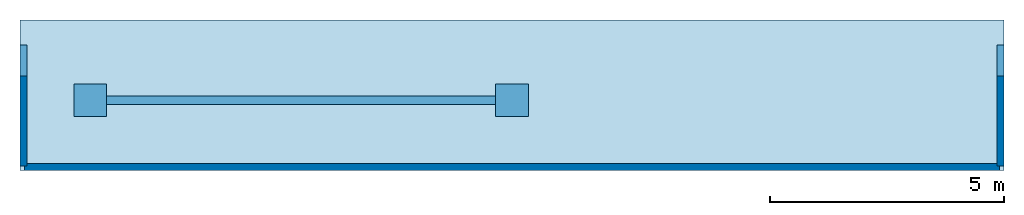
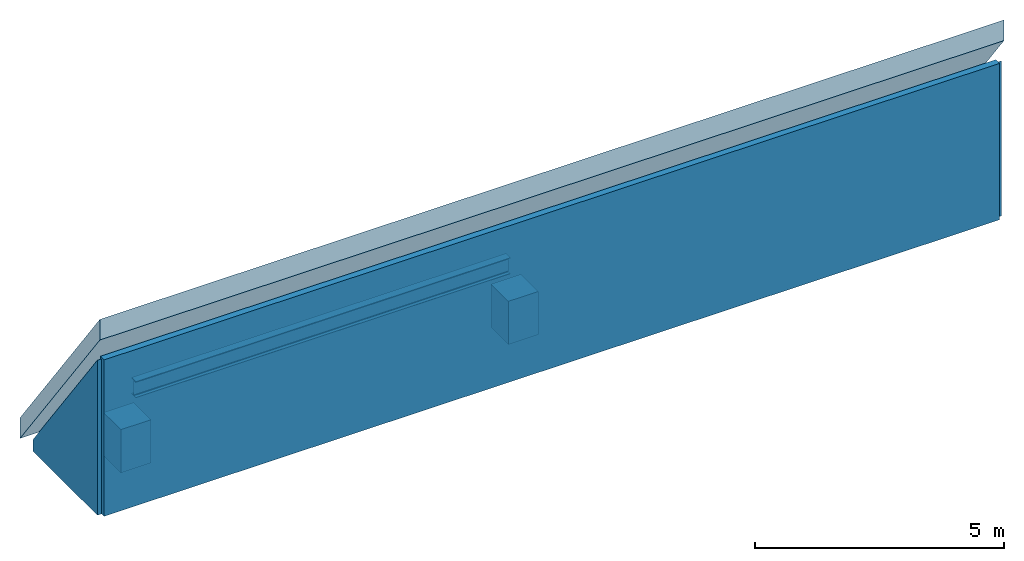
# One storey: 3 walls, 2 columns, 1 beam, 1 slab.
"""IFC4 building model written with IfcOpenShell, lengths in metres."""

import ifcopenshell
import ifcopenshell.guid

model = None  # the IFC model being written
_history = None  # IfcOwnerHistory: only IFC2X3 demands one
_inside = {}  # id of a spatial element -> (the spatial element, [elements in it])
_under = {}  # id of a project, library or spatial element -> (it, [spatial elements below it])
_declared = {}  # id of a project -> (the project, [libraries it declares])
_typed = {}  # id of a type object -> (the type object, [elements of that type])
_made_of = {}  # id of a material, layer set ... -> (it, [elements and type objects made of it])


def new_model(schema):
    """Start an empty IFC model of exactly this schema.

    Asked for "IFC4X3", IfcOpenShell would pick the latest addendum, in which some entities
    have other attributes; the version numbers below select the first issue.
    IFC2X3 requires an IfcOwnerHistory on every rooted entity: one is made here for all.
    """
    global model, _history
    if schema == "IFC4X3":
        model = ifcopenshell.file(schema_version=(4, 3, 0, 0))
    else:
        model = ifcopenshell.file(schema=schema)
    _inside.clear()
    _under.clear()
    _declared.clear()
    _typed.clear()
    _made_of.clear()
    _history = None
    if model.schema == "IFC2X3":
        org = make("IfcOrganization", Name="unknown")
        user = make(
            "IfcPersonAndOrganization",
            ThePerson=make("IfcPerson", FamilyName="unknown"),
            TheOrganization=org,
        )
        app = make(
            "IfcApplication",
            ApplicationDeveloper=org,
            Version="unknown",
            ApplicationFullName="unknown",
            ApplicationIdentifier="unknown",
        )
        _history = make(
            "IfcOwnerHistory",
            OwningUser=user,
            OwningApplication=app,
            ChangeAction="ADDED",
            CreationDate=0,
        )
    return model


def make(cls, **values):
    """One entity of the class cls with the attributes given. An attribute that is None is left unset."""
    return model.create_entity(
        cls, **{name: value for name, value in values.items() if value is not None}
    )


def rooted(cls, **values):
    """An entity with a GlobalId (a new one), such as an element, a storey or a relation."""
    return make(cls, GlobalId=ifcopenshell.guid.new(), OwnerHistory=_history, **values)


def si_unit(unit_type, name, prefix=None):
    """IfcSIUnit, for example si_unit("LENGTHUNIT", "METRE", prefix="MILLI")."""
    return make("IfcSIUnit", UnitType=unit_type, Prefix=prefix, Name=name)


def assignment(units):
    """IfcUnitAssignment: the units of a project."""
    return None if units is None else make("IfcUnitAssignment", Units=units)


def point(xyz):
    """IfcCartesianPoint."""
    return None if xyz is None else make("IfcCartesianPoint", Coordinates=xyz)


def direction(xyz):
    """IfcDirection."""
    return None if xyz is None else make("IfcDirection", DirectionRatios=xyz)


def frame(location, z_axis=None, x_axis=None):
    """IfcAxis2Placement3D, a coordinate frame: its origin and axes. An axis left out is left unset."""
    return make(
        "IfcAxis2Placement3D",
        Location=point(location),
        Axis=direction(z_axis),
        RefDirection=direction(x_axis),
    )


def frame_2d(location, x_axis=None):
    """IfcAxis2Placement2D, a coordinate frame in the plane: its origin and x axis."""
    return make(
        "IfcAxis2Placement2D", Location=point(location), RefDirection=direction(x_axis)
    )


def origin():
    """The frame at (0, 0, 0) with its axes left unset."""
    return frame((0.0, 0.0, 0.0))


def origin_2d():
    """The frame at (0, 0) in the plane with its x axis left unset."""
    return frame_2d((0.0, 0.0))


def place(relative_to, where):
    """IfcLocalPlacement: puts the frame where relative to a parent placement (None: the world)."""
    return make(
        "IfcLocalPlacement", PlacementRelTo=relative_to, RelativePlacement=where
    )


def context(
    kind, dimensions, precision=None, world=None, true_north=None, identifier=None
):
    """IfcGeometricRepresentationContext, for example the 3D "Model" context."""
    return make(
        "IfcGeometricRepresentationContext",
        ContextIdentifier=identifier,
        ContextType=kind,
        CoordinateSpaceDimension=dimensions,
        Precision=precision,
        WorldCoordinateSystem=world,
        TrueNorth=true_north,
    )


def subcontext(parent, identifier, kind, view, scale=None):
    """IfcGeometricRepresentationSubContext, for example "Body" below "Model"."""
    return make(
        "IfcGeometricRepresentationSubContext",
        ContextIdentifier=identifier,
        ContextType=kind,
        ParentContext=parent,
        TargetScale=scale,
        TargetView=view,
    )


def project(units=None, contexts=None):
    """IfcProject with its units and contexts."""
    return rooted(
        "IfcProject",
        Name="project",
        RepresentationContexts=contexts,
        UnitsInContext=assignment(units),
    )


def spatial(cls, under=None, at=None, **own):
    """A site, building, storey or space (cls), placed at a placement, below another one or the project."""
    s = rooted(cls, ObjectPlacement=at, **own)
    if under is not None:
        _under.setdefault(under.id(), (under, []))[1].append(s)
    return s


def polyline(points):
    """IfcPolyline through the points."""
    return make("IfcPolyline", Points=[point(p) for p in points])


def profile(cls, at=None, kind="AREA", **sizes):
    """A parametric profile (cls). Its sizes go by their IFC names, for example OverallWidth=200.0."""
    return make(cls, ProfileType=kind, Position=at, **sizes)


def rectangle(**sizes):
    """IfcRectangleProfileDef."""
    return profile("IfcRectangleProfileDef", **sizes)


def i_section(**sizes):
    """IfcIShapeProfileDef."""
    return profile("IfcIShapeProfileDef", **sizes)


def outline(outer, holes=None, kind="AREA"):
    """IfcArbitraryClosedProfileDef: a profile drawn as a closed curve; with holes, ...WithVoids."""
    if holes is None:
        return make("IfcArbitraryClosedProfileDef", ProfileType=kind, OuterCurve=outer)
    return make(
        "IfcArbitraryProfileDefWithVoids",
        ProfileType=kind,
        OuterCurve=outer,
        InnerCurves=holes,
    )


def extrude(swept, where, along, depth):
    """IfcExtrudedAreaSolid: the profile swept, set in the frame where, extruded along a direction by depth."""
    return make(
        "IfcExtrudedAreaSolid",
        SweptArea=swept,
        Position=where,
        ExtrudedDirection=direction(along),
        Depth=depth,
    )


def shape(context_of_items, identifier, shape_type, items):
    """IfcShapeRepresentation: the items that make up one representation, for example the "Body"."""
    return make(
        "IfcShapeRepresentation",
        ContextOfItems=context_of_items,
        RepresentationIdentifier=identifier,
        RepresentationType=shape_type,
        Items=items,
    )


def material(Name=None, Category=None):
    """IfcMaterial."""
    return make("IfcMaterial", Name=Name, Category=Category)


def layer(
    of_material, thickness, ventilated=None, Name=None, Category=None, Priority=None
):
    """IfcMaterialLayer: one layer of a wall or slab, of a material (None: an air gap)."""
    return make(
        "IfcMaterialLayer",
        Material=of_material,
        LayerThickness=thickness,
        IsVentilated=ventilated,
        Name=Name,
        Category=Category,
        Priority=Priority,
    )


def layer_set(layers, Name=None):
    """IfcMaterialLayerSet."""
    return make("IfcMaterialLayerSet", MaterialLayers=layers, LayerSetName=Name)


def material_profile(
    of_material, cross_section, Name=None, Category=None, Priority=None
):
    """IfcMaterialProfile: a cross section and its material."""
    return make(
        "IfcMaterialProfile",
        Name=Name,
        Material=of_material,
        Profile=cross_section,
        Priority=Priority,
        Category=Category,
    )


def profile_set(profiles, Name=None, composite=None):
    """IfcMaterialProfileSet."""
    return make(
        "IfcMaterialProfileSet",
        Name=Name,
        MaterialProfiles=profiles,
        CompositeProfile=composite,
    )


def made_of(thing, what):
    """Note that an element or type object is made of a material, layer set ...; save() writes the relation."""
    if what is not None:
        _made_of.setdefault(what.id(), (what, []))[1].append(thing)
    return thing


def type_object(cls, material=None, **own):
    """A type object (cls), such as IfcWallType, which elements share."""
    return made_of(rooted(cls, **own), material)


def element(
    cls,
    number,
    at=None,
    inside=None,
    cuts=None,
    type_object=None,
    material=None,
    context=None,
    identifier="Body",
    shape_type=None,
    held_by="IfcProductDefinitionShape",
    body=None,
    shapes=None,
    **own,
):
    """One element of the class cls, such as IfcWall. Its Tag is "e" and its number.

    at: its placement. inside: the storey or other place that contains it. cuts: it is an
    opening in that element (IfcRelVoidsElement). A single representation is given by context,
    identifier, shape_type and body (its items); several are given by shapes. held_by: the class
    of the entity that holds the representations. save() writes the other relations.
    """
    e = rooted(cls, Tag="e%d" % number, ObjectPlacement=at, **own)
    if body is not None:
        shapes = [shape(context, identifier, shape_type, body)]
    if shapes is not None:
        e.Representation = make(held_by, Representations=shapes)
    if inside is not None:
        _inside.setdefault(inside.id(), (inside, []))[1].append(e)
    if cuts is not None:
        rooted(
            "IfcRelVoidsElement", RelatingBuildingElement=cuts, RelatedOpeningElement=e
        )
    if type_object is not None:
        _typed.setdefault(type_object.id(), (type_object, []))[1].append(e)
    return made_of(e, material)


def aggregate(whole, parts):
    """IfcRelAggregates: a whole, such as a stair, and the parts it consists of."""
    return rooted("IfcRelAggregates", RelatingObject=whole, RelatedObjects=parts)


def save(model, path):
    """Write the relations noted so far, then the file.

    IfcRelAggregates (storeys below a building ...), IfcRelContainedInSpatialStructure (elements
    in a storey), IfcRelDefinesByType, IfcRelAssociatesMaterial and IfcRelDeclares: one each for
    every whole, place, type object, material and project.
    """
    for whole, parts in _under.values():
        aggregate(whole, parts)
    for where, things in _inside.values():
        rooted(
            "IfcRelContainedInSpatialStructure",
            RelatedElements=things,
            RelatingStructure=where,
        )
    for kind, things in _typed.values():
        rooted("IfcRelDefinesByType", RelatedObjects=things, RelatingType=kind)
    for what, things in _made_of.values():
        rooted("IfcRelAssociatesMaterial", RelatedObjects=things, RelatingMaterial=what)
    for by, libraries in _declared.values():
        rooted("IfcRelDeclares", RelatingContext=by, RelatedDefinitions=libraries)
    model.write(path)


model = new_model("IFC4")

# Units and contexts
model_context = context("Model", 3, precision=1e-05, world=origin(), true_north=direction((0.0, 1.0)))
body_context = subcontext(model_context, "Body", "Model", "MODEL_VIEW")
ifc_project = project(units=[si_unit("LENGTHUNIT", "METRE"), si_unit("AREAUNIT", "SQUARE_METRE"), si_unit("VOLUMEUNIT", "CUBIC_METRE"), si_unit("PLANEANGLEUNIT", "RADIAN"), si_unit("MASSUNIT", "GRAM", prefix="KILO")], contexts=[model_context])

# Site, building, storey
site_placement = place(None, origin())
site = spatial("IfcSite", under=ifc_project, at=site_placement, CompositionType="ELEMENT")
building_placement = place(site_placement, origin())
building = spatial("IfcBuilding", under=site, at=building_placement, Name="Chenar Terraces", CompositionType="ELEMENT")
storey_placement = place(building_placement, frame((0.0, 0.0, 406.89990234375)))
storey = spatial("IfcBuildingStorey", under=building, at=storey_placement, Name="L95", CompositionType="ELEMENT", Elevation=406.89990234375)

# Columns
ifc_material_1 = material(Name="Concrete C40/50", Category="concrete")
ifc_material_profile_1 = material_profile(ifc_material_1, rectangle(XDim=0.699951171875, YDim=0.699951171875, at=origin_2d()), Name="C 700 x 700")
ifc_profile_set_1 = profile_set([ifc_material_profile_1], Name="Concrete C40/50")
column_type = type_object("IfcColumnType", Name="Column C 700 x 700 Concrete C40/50", PredefinedType="COLUMN", material=ifc_profile_set_1)
for number, where, z_axis, x_axis, name in (
    (1, (36.0, 0.0, 0.0), (0.0, 0.0, 1.0), (1.0, 0.0, 0.0), "Column 8/E L95"),
    (2, (45.0, 0.0, 0.0), (0.0, 0.0, 1.0), (1.0, 0.0, 0.0), "Column 9/E L95"),
):
    element("IfcColumn", number, at=place(storey_placement, frame(where, z_axis=z_axis, x_axis=x_axis)), inside=storey, type_object=column_type, Name=name, PredefinedType="COLUMN", context=body_context, shape_type="SweptSolid", body=[
        extrude(rectangle(XDim=0.699951171875, YDim=0.699951171875, at=origin_2d()), origin(), (0.0, 0.0, 1.0), 1.061767578125),
    ])

# Beam
ifc_material_2 = material(Name="Structural steel S355", Category="steel")
ifc_material_profile_2 = material_profile(ifc_material_2, i_section(OverallWidth=0.179931640625, OverallDepth=0.39990234375, WebThickness=0.008544921875, FlangeThickness=0.013427734375, FilletRadius=0.02099609375, at=origin_2d()), Name="IPE 400")
ifc_profile_set_2 = profile_set([ifc_material_profile_2], Name="Structural steel S355")
beam_type = type_object("IfcBeamType", Name="Peak roof purlin IPE 400 S355", PredefinedType="BEAM", material=ifc_profile_set_2)
beam_placement = place(storey_placement, frame((36.14990234375, 0.0, 1.705078125), z_axis=(1.0, 0.0, 0.0), x_axis=(0.0, 1.0, 0.0)))
element("IfcBeam", 3, at=beam_placement, inside=storey, type_object=beam_type, Name="Peak roof purlin A 4", PredefinedType="BEAM", context=body_context, shape_type="SweptSolid", body=[
    extrude(i_section(OverallWidth=0.179931640625, OverallDepth=0.39990234375, WebThickness=0.008544921875, FlangeThickness=0.013427734375, FilletRadius=0.02099609375, at=origin_2d()), origin(), (0.0, 0.0, 1.0), 8.7001953125),
])

# Slab
ifc_material_3 = material(Name="Terracotta roof tile on insulated deck", Category="masonry")
ifc_layer_1 = layer(ifc_material_3, 0.300048828125)
ifc_layer_set_1 = layer_set([ifc_layer_1], Name="Terracotta roof tile on insulated deck")
slab_type = type_object("IfcSlabType", Name="Terracotta roof tile 300", PredefinedType="ROOF", material=ifc_layer_set_1)
slab_placement = place(storey_placement, frame((34.5, -1.5, 4.870361328125), z_axis=(0.0, 0.805309401157, 0.592854761648), x_axis=(0.0, 0.592854761648, -0.805309401157)))
element("IfcSlab", 4, at=slab_placement, inside=storey, type_object=slab_type, Name="Terracotta roof tile", PredefinedType="ROOF", context=body_context, shape_type="SweptSolid", body=[
    extrude(outline(polyline([(0.0, 0.0), (5.419355351163104, 0.0), (5.419355351163104, -21.0), (0.0, -21.0), (0.0, 0.0)])), origin(), (0.805309401157, 0.0, -0.592854761648), 0.506103515625),
])

# Walls
ifc_material_4 = material(Name="Terracotta cladding on insulated backing", Category="masonry")
ifc_layer_2 = layer(ifc_material_4, 0.14990234375)
ifc_layer_set_2 = layer_set([ifc_layer_2], Name="Terracotta cladding on insulated backing")
wall_type = type_object("IfcWallType", Name="Crown terracotta wall 150", PredefinedType="SOLIDWALL", material=ifc_layer_set_2)
wall_1_placement = place(storey_placement, frame((55.425048828125, -1.39990234375, 0.0), z_axis=(0.0, 0.0, 1.0), x_axis=(0.0, 1.0, 0.0)))
element("IfcWall", 5, at=wall_1_placement, inside=storey, type_object=wall_type, Name="Crown terracotta wall", PredefinedType="SOLIDWALL", context=body_context, shape_type="SweptSolid", body=[
    extrude(outline(polyline([(0.0, 0.0), (2.58154296875, 0.0), (2.58154296875, 0.300048828125), (0.0, 3.80712890625), (0.0, 0.0)])), frame((0.0, 0.074951171875, 0.0), z_axis=(0.0, -1.0, 0.0), x_axis=(1.0, 0.0, 0.0)), (0.0, 0.0, 1.0), 0.14990234375),
])
wall_2_placement = place(storey_placement, frame((34.574951171875, 1.181640625, 0.0), z_axis=(0.0, 0.0, 1.0), x_axis=(0.0, -1.0, 0.0)))
element("IfcWall", 6, at=wall_2_placement, inside=storey, type_object=wall_type, Name="Crown terracotta wall", PredefinedType="SOLIDWALL", context=body_context, shape_type="SweptSolid", body=[
    extrude(outline(polyline([(0.0, 0.0), (2.58154296875, 0.0), (2.58154296875, 3.80712890625), (1.589111328125, 2.4580078125), (0.596435546875, 1.110107421875), (0.0, 0.300048828125), (0.0, 0.0)])), frame((0.0, 0.074951171875, 0.0), z_axis=(0.0, -1.0, 0.0), x_axis=(1.0, 0.0, 0.0)), (0.0, 0.0, 1.0), 0.14990234375),
])
wall_3_placement = place(storey_placement, frame((34.60009765625, -1.425048828125, 0.0), z_axis=(0.0, 0.0, 1.0), x_axis=(1.0, 0.0, 0.0)))
element("IfcWall", 7, at=wall_3_placement, inside=storey, type_object=wall_type, Name="Crown terracotta wall", PredefinedType="SOLIDWALL", context=body_context, shape_type="SweptSolid", body=[
    extrude(outline(polyline([(0.0, 0.0), (20.7998046875, 0.0), (20.800048828125, 3.841064453125), (0.0, 3.841064453125), (0.0, 0.0)])), frame((0.0, 0.074951171875, 0.0), z_axis=(0.0, -1.0, 0.0), x_axis=(1.0, 0.0, 0.0)), (0.0, 0.0, 1.0), 0.14990234375),
])

save(model, "model.ifc")
